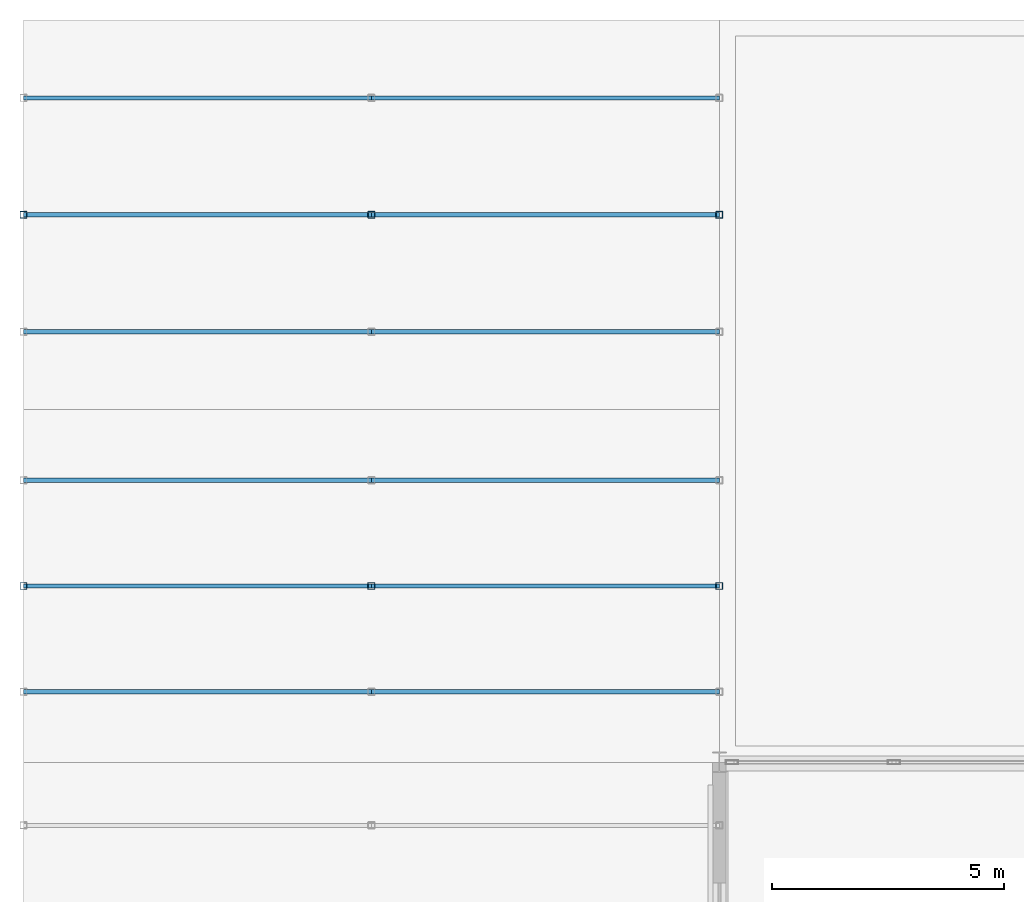
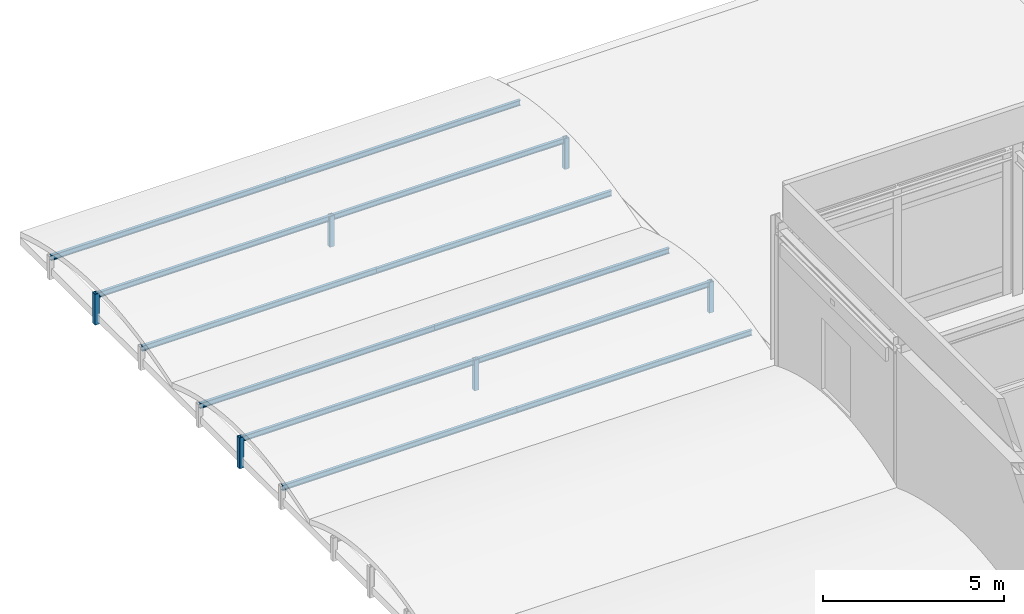
# One storey, part 45 of 113: 18 members.
"""IFC4 building model written with IfcOpenShell, lengths in metres."""

import ifcopenshell
import ifcopenshell.guid

model = None  # the IFC model being written
_history = None  # IfcOwnerHistory: only IFC2X3 demands one
_inside = {}  # id of a spatial element -> (the spatial element, [elements in it])
_under = {}  # id of a project, library or spatial element -> (it, [spatial elements below it])
_declared = {}  # id of a project -> (the project, [libraries it declares])
_typed = {}  # id of a type object -> (the type object, [elements of that type])
_made_of = {}  # id of a material, layer set ... -> (it, [elements and type objects made of it])


def new_model(schema):
    """Start an empty IFC model of exactly this schema.

    Asked for "IFC4X3", IfcOpenShell would pick the latest addendum, in which some entities
    have other attributes; the version numbers below select the first issue.
    IFC2X3 requires an IfcOwnerHistory on every rooted entity: one is made here for all.
    """
    global model, _history
    if schema == "IFC4X3":
        model = ifcopenshell.file(schema_version=(4, 3, 0, 0))
    else:
        model = ifcopenshell.file(schema=schema)
    _inside.clear()
    _under.clear()
    _declared.clear()
    _typed.clear()
    _made_of.clear()
    _history = None
    if model.schema == "IFC2X3":
        org = make("IfcOrganization", Name="unknown")
        user = make(
            "IfcPersonAndOrganization",
            ThePerson=make("IfcPerson", FamilyName="unknown"),
            TheOrganization=org,
        )
        app = make(
            "IfcApplication",
            ApplicationDeveloper=org,
            Version="unknown",
            ApplicationFullName="unknown",
            ApplicationIdentifier="unknown",
        )
        _history = make(
            "IfcOwnerHistory",
            OwningUser=user,
            OwningApplication=app,
            ChangeAction="ADDED",
            CreationDate=0,
        )
    return model


def make(cls, **values):
    """One entity of the class cls with the attributes given. An attribute that is None is left unset."""
    return model.create_entity(
        cls, **{name: value for name, value in values.items() if value is not None}
    )


def rooted(cls, **values):
    """An entity with a GlobalId (a new one), such as an element, a storey or a relation."""
    return make(cls, GlobalId=ifcopenshell.guid.new(), OwnerHistory=_history, **values)


def si_unit(unit_type, name, prefix=None):
    """IfcSIUnit, for example si_unit("LENGTHUNIT", "METRE", prefix="MILLI")."""
    return make("IfcSIUnit", UnitType=unit_type, Prefix=prefix, Name=name)


def assignment(units):
    """IfcUnitAssignment: the units of a project."""
    return None if units is None else make("IfcUnitAssignment", Units=units)


def point(xyz):
    """IfcCartesianPoint."""
    return None if xyz is None else make("IfcCartesianPoint", Coordinates=xyz)


def direction(xyz):
    """IfcDirection."""
    return None if xyz is None else make("IfcDirection", DirectionRatios=xyz)


def frame(location, z_axis=None, x_axis=None):
    """IfcAxis2Placement3D, a coordinate frame: its origin and axes. An axis left out is left unset."""
    return make(
        "IfcAxis2Placement3D",
        Location=point(location),
        Axis=direction(z_axis),
        RefDirection=direction(x_axis),
    )


def frame_2d(location, x_axis=None):
    """IfcAxis2Placement2D, a coordinate frame in the plane: its origin and x axis."""
    return make(
        "IfcAxis2Placement2D", Location=point(location), RefDirection=direction(x_axis)
    )


def origin():
    """The frame at (0, 0, 0) with its axes left unset."""
    return frame((0.0, 0.0, 0.0))


def origin_2d():
    """The frame at (0, 0) in the plane with its x axis left unset."""
    return frame_2d((0.0, 0.0))


def place(relative_to, where):
    """IfcLocalPlacement: puts the frame where relative to a parent placement (None: the world)."""
    return make(
        "IfcLocalPlacement", PlacementRelTo=relative_to, RelativePlacement=where
    )


def context(
    kind, dimensions, precision=None, world=None, true_north=None, identifier=None
):
    """IfcGeometricRepresentationContext, for example the 3D "Model" context."""
    return make(
        "IfcGeometricRepresentationContext",
        ContextIdentifier=identifier,
        ContextType=kind,
        CoordinateSpaceDimension=dimensions,
        Precision=precision,
        WorldCoordinateSystem=world,
        TrueNorth=true_north,
    )


def subcontext(parent, identifier, kind, view, scale=None):
    """IfcGeometricRepresentationSubContext, for example "Body" below "Model"."""
    return make(
        "IfcGeometricRepresentationSubContext",
        ContextIdentifier=identifier,
        ContextType=kind,
        ParentContext=parent,
        TargetScale=scale,
        TargetView=view,
    )


def project(units=None, contexts=None):
    """IfcProject with its units and contexts."""
    return rooted(
        "IfcProject",
        Name="project",
        RepresentationContexts=contexts,
        UnitsInContext=assignment(units),
    )


def spatial(cls, under=None, at=None, **own):
    """A site, building, storey or space (cls), placed at a placement, below another one or the project."""
    s = rooted(cls, ObjectPlacement=at, **own)
    if under is not None:
        _under.setdefault(under.id(), (under, []))[1].append(s)
    return s


def profile(cls, at=None, kind="AREA", **sizes):
    """A parametric profile (cls). Its sizes go by their IFC names, for example OverallWidth=200.0."""
    return make(cls, ProfileType=kind, Position=at, **sizes)


def hollow_rectangle(**sizes):
    """IfcRectangleHollowProfileDef."""
    return profile("IfcRectangleHollowProfileDef", **sizes)


def i_section(**sizes):
    """IfcIShapeProfileDef."""
    return profile("IfcIShapeProfileDef", **sizes)


def extrude(swept, where, along, depth):
    """IfcExtrudedAreaSolid: the profile swept, set in the frame where, extruded along a direction by depth."""
    return make(
        "IfcExtrudedAreaSolid",
        SweptArea=swept,
        Position=where,
        ExtrudedDirection=direction(along),
        Depth=depth,
    )


def shape(context_of_items, identifier, shape_type, items):
    """IfcShapeRepresentation: the items that make up one representation, for example the "Body"."""
    return make(
        "IfcShapeRepresentation",
        ContextOfItems=context_of_items,
        RepresentationIdentifier=identifier,
        RepresentationType=shape_type,
        Items=items,
    )


def material(Name=None, Category=None):
    """IfcMaterial."""
    return make("IfcMaterial", Name=Name, Category=Category)


def material_profile(
    of_material, cross_section, Name=None, Category=None, Priority=None
):
    """IfcMaterialProfile: a cross section and its material."""
    return make(
        "IfcMaterialProfile",
        Name=Name,
        Material=of_material,
        Profile=cross_section,
        Priority=Priority,
        Category=Category,
    )


def profile_set(profiles, Name=None, composite=None):
    """IfcMaterialProfileSet."""
    return make(
        "IfcMaterialProfileSet",
        Name=Name,
        MaterialProfiles=profiles,
        CompositeProfile=composite,
    )


def made_of(thing, what):
    """Note that an element or type object is made of a material, layer set ...; save() writes the relation."""
    if what is not None:
        _made_of.setdefault(what.id(), (what, []))[1].append(thing)
    return thing


def type_object(cls, material=None, **own):
    """A type object (cls), such as IfcWallType, which elements share."""
    return made_of(rooted(cls, **own), material)


def element(
    cls,
    number,
    at=None,
    inside=None,
    cuts=None,
    type_object=None,
    material=None,
    context=None,
    identifier="Body",
    shape_type=None,
    held_by="IfcProductDefinitionShape",
    body=None,
    shapes=None,
    **own,
):
    """One element of the class cls, such as IfcWall. Its Tag is "e" and its number.

    at: its placement. inside: the storey or other place that contains it. cuts: it is an
    opening in that element (IfcRelVoidsElement). A single representation is given by context,
    identifier, shape_type and body (its items); several are given by shapes. held_by: the class
    of the entity that holds the representations. save() writes the other relations.
    """
    e = rooted(cls, Tag="e%d" % number, ObjectPlacement=at, **own)
    if body is not None:
        shapes = [shape(context, identifier, shape_type, body)]
    if shapes is not None:
        e.Representation = make(held_by, Representations=shapes)
    if inside is not None:
        _inside.setdefault(inside.id(), (inside, []))[1].append(e)
    if cuts is not None:
        rooted(
            "IfcRelVoidsElement", RelatingBuildingElement=cuts, RelatedOpeningElement=e
        )
    if type_object is not None:
        _typed.setdefault(type_object.id(), (type_object, []))[1].append(e)
    return made_of(e, material)


def aggregate(whole, parts):
    """IfcRelAggregates: a whole, such as a stair, and the parts it consists of."""
    return rooted("IfcRelAggregates", RelatingObject=whole, RelatedObjects=parts)


def save(model, path):
    """Write the relations noted so far, then the file.

    IfcRelAggregates (storeys below a building ...), IfcRelContainedInSpatialStructure (elements
    in a storey), IfcRelDefinesByType, IfcRelAssociatesMaterial and IfcRelDeclares: one each for
    every whole, place, type object, material and project.
    """
    for whole, parts in _under.values():
        aggregate(whole, parts)
    for where, things in _inside.values():
        rooted(
            "IfcRelContainedInSpatialStructure",
            RelatedElements=things,
            RelatingStructure=where,
        )
    for kind, things in _typed.values():
        rooted("IfcRelDefinesByType", RelatedObjects=things, RelatingType=kind)
    for what, things in _made_of.values():
        rooted("IfcRelAssociatesMaterial", RelatedObjects=things, RelatingMaterial=what)
    for by, libraries in _declared.values():
        rooted("IfcRelDeclares", RelatingContext=by, RelatedDefinitions=libraries)
    model.write(path)


model = new_model("IFC4")

# Units and contexts
model_context = context("Model", 3, precision=1e-05, world=origin(), true_north=direction((0.0, 1.0)))
body_context = subcontext(model_context, "Body", "Model", "MODEL_VIEW")
ifc_project = project(units=[si_unit("LENGTHUNIT", "METRE"), si_unit("AREAUNIT", "SQUARE_METRE"), si_unit("VOLUMEUNIT", "CUBIC_METRE"), si_unit("PLANEANGLEUNIT", "RADIAN"), si_unit("MASSUNIT", "GRAM", prefix="KILO")], contexts=[model_context])

# Site, building, storey
site_placement = place(None, origin())
site = spatial("IfcSite", under=ifc_project, at=site_placement, CompositionType="ELEMENT")
building_placement = place(site_placement, origin())
building = spatial("IfcBuilding", under=site, at=building_placement, Name="Shalkamar Park Central Library", CompositionType="ELEMENT")
storey_placement = place(building_placement, frame((0.0, 0.0, 5.39990234375)))
storey = spatial("IfcBuildingStorey", under=building, at=storey_placement, Name="L02", CompositionType="ELEMENT", Elevation=5.39990234375)

# Members
ifc_material = material(Name="Steel S355", Category="steel")
ifc_material_profile_1 = material_profile(ifc_material, hollow_rectangle(XDim=0.14990234375, YDim=0.14990234375, WallThickness=0.008056640625, InnerFilletRadius=0.008056640625, OuterFilletRadius=0.011962890625, at=origin_2d()), Name="SHS 150x150x8")
ifc_profile_set_1 = profile_set([ifc_material_profile_1], Name="Steel S355")
member_type_1 = type_object("IfcMemberType", Name="Diagonal Brace SHS150", PredefinedType="BRACE", material=ifc_profile_set_1)
for number, where, z_axis, x_axis, name in (
    (1, (120.0, 341.800048828125, -0.35986328125), (0.0, 0.0, 1.0), (1.0, 0.0, 0.0), "Vault Arch Post BV-L01-W11-01.2"),
    (2, (127.5, 341.800048828125, -0.35986328125), (0.0, 0.0, 1.0), (1.0, 0.0, 0.0), "Vault Arch Post BV-L01-W11-02.2"),
    (3, (135.0, 341.800048828125, -0.35986328125), (0.0, 0.0, 1.0), (1.0, 0.0, 0.0), "Vault Arch Post BV-L01-W11-03.2"),
    (4, (120.0, 349.800048828125, -0.35986328125), (0.0, 0.0, 1.0), (1.0, 0.0, 0.0), "Vault Arch Post BV-L01-W12-01.2"),
    (5, (127.5, 349.800048828125, -0.35986328125), (0.0, 0.0, 1.0), (1.0, 0.0, 0.0), "Vault Arch Post BV-L01-W12-02.2"),
    (6, (135.0, 349.800048828125, -0.35986328125), (0.0, 0.0, 1.0), (1.0, 0.0, 0.0), "Vault Arch Post BV-L01-W12-03.2"),
):
    element("IfcMember", number, at=place(storey_placement, frame(where, z_axis=z_axis, x_axis=x_axis)), inside=storey, type_object=member_type_1, Name=name, PredefinedType="BRACE", context=body_context, shape_type="SweptSolid", body=[
        extrude(hollow_rectangle(XDim=0.14990234375, YDim=0.14990234375, WallThickness=0.008056640625, InnerFilletRadius=0.008056640625, OuterFilletRadius=0.011962890625, at=origin_2d()), origin(), (0.0, 0.0, 1.0), 1.0400390625),
    ])
ifc_material_profile_2 = material_profile(ifc_material, i_section(OverallWidth=0.091064453125, OverallDepth=0.179931640625, WebThickness=0.00537109375, FlangeThickness=0.008056640625, FilletRadius=0.009033203125, at=origin_2d()), Name="IPE 180")
ifc_profile_set_2 = profile_set([ifc_material_profile_2], Name="Steel S355")
member_type_2 = type_object("IfcMemberType", Name="Roof Purlin IPE180", PredefinedType="PURLIN", material=ifc_profile_set_2)
for number, where, z_axis, x_axis, name in (
    (7, (120.0, 339.52001953125, 0.330810546875), (1.0, 0.0, 0.0), (0.0, 1.0, 0.0), "Barrel Roof Purlin BV-L01-W11-1.01"),
    (8, (127.5, 339.52001953125, 0.330810546875), (1.0, 0.0, 0.0), (0.0, 1.0, 0.0), "Barrel Roof Purlin BV-L01-W11-1.02"),
    (9, (120.0, 341.800048828125, 0.590087890625), (1.0, 0.0, 0.0), (0.0, 1.0, 0.0), "Barrel Roof Purlin BV-L01-W11-2.01"),
    (10, (127.5, 341.800048828125, 0.590087890625), (1.0, 0.0, 0.0), (0.0, 1.0, 0.0), "Barrel Roof Purlin BV-L01-W11-2.02"),
    (11, (120.0, 344.080078125, 0.330810546875), (1.0, 0.0, 0.0), (0.0, 1.0, 0.0), "Barrel Roof Purlin BV-L01-W11-3.01"),
    (12, (127.5, 344.080078125, 0.330810546875), (1.0, 0.0, 0.0), (0.0, 1.0, 0.0), "Barrel Roof Purlin BV-L01-W11-3.02"),
    (13, (120.0, 347.280029296875, 0.330810546875), (1.0, 0.0, 0.0), (0.0, 1.0, 0.0), "Barrel Roof Purlin BV-L01-W12-1.01"),
    (14, (127.5, 347.280029296875, 0.330810546875), (1.0, 0.0, 0.0), (0.0, 1.0, 0.0), "Barrel Roof Purlin BV-L01-W12-1.02"),
    (15, (120.0, 349.800048828125, 0.590087890625), (1.0, 0.0, 0.0), (0.0, 1.0, 0.0), "Barrel Roof Purlin BV-L01-W12-2.01"),
    (16, (127.5, 349.800048828125, 0.590087890625), (1.0, 0.0, 0.0), (0.0, 1.0, 0.0), "Barrel Roof Purlin BV-L01-W12-2.02"),
    (17, (120.0, 352.320068359375, 0.330810546875), (1.0, 0.0, 0.0), (0.0, 1.0, 0.0), "Barrel Roof Purlin BV-L01-W12-3.01"),
    (18, (127.5, 352.320068359375, 0.330810546875), (1.0, 0.0, 0.0), (0.0, 1.0, 0.0), "Barrel Roof Purlin BV-L01-W12-3.02"),
):
    element("IfcMember", number, at=place(storey_placement, frame(where, z_axis=z_axis, x_axis=x_axis)), inside=storey, type_object=member_type_2, Name=name, PredefinedType="PURLIN", context=body_context, shape_type="SweptSolid", body=[
        extrude(i_section(OverallWidth=0.091064453125, OverallDepth=0.179931640625, WebThickness=0.00537109375, FlangeThickness=0.008056640625, FilletRadius=0.009033203125, at=origin_2d()), origin(), (0.0, 0.0, 1.0), 7.5),
    ])

save(model, "model.ifc")
